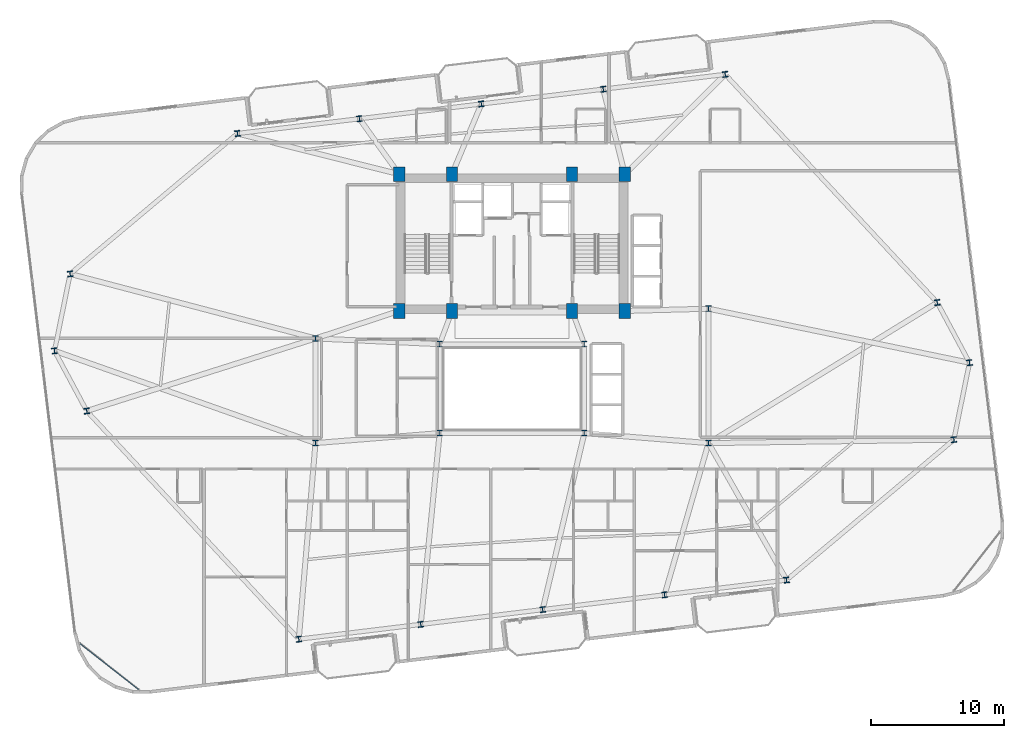
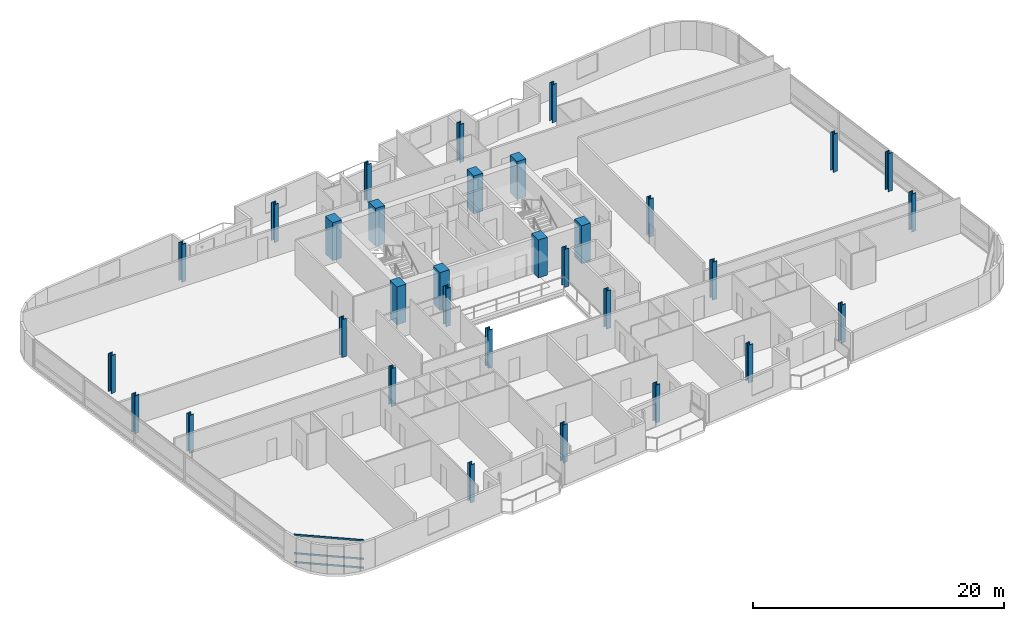
# One storey, part 1 of 24: 32 columns, 3 members, 1 element without a shape of its own.
"""IFC4 building model written with IfcOpenShell, lengths in metres."""

import ifcopenshell
import ifcopenshell.guid

model = None  # the IFC model being written
_history = None  # IfcOwnerHistory: only IFC2X3 demands one
_inside = {}  # id of a spatial element -> (the spatial element, [elements in it])
_under = {}  # id of a project, library or spatial element -> (it, [spatial elements below it])
_declared = {}  # id of a project -> (the project, [libraries it declares])
_typed = {}  # id of a type object -> (the type object, [elements of that type])
_made_of = {}  # id of a material, layer set ... -> (it, [elements and type objects made of it])


def new_model(schema):
    """Start an empty IFC model of exactly this schema.

    Asked for "IFC4X3", IfcOpenShell would pick the latest addendum, in which some entities
    have other attributes; the version numbers below select the first issue.
    IFC2X3 requires an IfcOwnerHistory on every rooted entity: one is made here for all.
    """
    global model, _history
    if schema == "IFC4X3":
        model = ifcopenshell.file(schema_version=(4, 3, 0, 0))
    else:
        model = ifcopenshell.file(schema=schema)
    _inside.clear()
    _under.clear()
    _declared.clear()
    _typed.clear()
    _made_of.clear()
    _history = None
    if model.schema == "IFC2X3":
        org = make("IfcOrganization", Name="unknown")
        user = make(
            "IfcPersonAndOrganization",
            ThePerson=make("IfcPerson", FamilyName="unknown"),
            TheOrganization=org,
        )
        app = make(
            "IfcApplication",
            ApplicationDeveloper=org,
            Version="unknown",
            ApplicationFullName="unknown",
            ApplicationIdentifier="unknown",
        )
        _history = make(
            "IfcOwnerHistory",
            OwningUser=user,
            OwningApplication=app,
            ChangeAction="ADDED",
            CreationDate=0,
        )
    return model


def make(cls, **values):
    """One entity of the class cls with the attributes given. An attribute that is None is left unset."""
    return model.create_entity(
        cls, **{name: value for name, value in values.items() if value is not None}
    )


def rooted(cls, **values):
    """An entity with a GlobalId (a new one), such as an element, a storey or a relation."""
    return make(cls, GlobalId=ifcopenshell.guid.new(), OwnerHistory=_history, **values)


def si_unit(unit_type, name, prefix=None):
    """IfcSIUnit, for example si_unit("LENGTHUNIT", "METRE", prefix="MILLI")."""
    return make("IfcSIUnit", UnitType=unit_type, Prefix=prefix, Name=name)


def assignment(units):
    """IfcUnitAssignment: the units of a project."""
    return None if units is None else make("IfcUnitAssignment", Units=units)


def point(xyz):
    """IfcCartesianPoint."""
    return None if xyz is None else make("IfcCartesianPoint", Coordinates=xyz)


def direction(xyz):
    """IfcDirection."""
    return None if xyz is None else make("IfcDirection", DirectionRatios=xyz)


def frame(location, z_axis=None, x_axis=None):
    """IfcAxis2Placement3D, a coordinate frame: its origin and axes. An axis left out is left unset."""
    return make(
        "IfcAxis2Placement3D",
        Location=point(location),
        Axis=direction(z_axis),
        RefDirection=direction(x_axis),
    )


def frame_2d(location, x_axis=None):
    """IfcAxis2Placement2D, a coordinate frame in the plane: its origin and x axis."""
    return make(
        "IfcAxis2Placement2D", Location=point(location), RefDirection=direction(x_axis)
    )


def origin():
    """The frame at (0, 0, 0) with its axes left unset."""
    return frame((0.0, 0.0, 0.0))


def origin_2d():
    """The frame at (0, 0) in the plane with its x axis left unset."""
    return frame_2d((0.0, 0.0))


def place(relative_to, where):
    """IfcLocalPlacement: puts the frame where relative to a parent placement (None: the world)."""
    return make(
        "IfcLocalPlacement", PlacementRelTo=relative_to, RelativePlacement=where
    )


def context(
    kind, dimensions, precision=None, world=None, true_north=None, identifier=None
):
    """IfcGeometricRepresentationContext, for example the 3D "Model" context."""
    return make(
        "IfcGeometricRepresentationContext",
        ContextIdentifier=identifier,
        ContextType=kind,
        CoordinateSpaceDimension=dimensions,
        Precision=precision,
        WorldCoordinateSystem=world,
        TrueNorth=true_north,
    )


def subcontext(parent, identifier, kind, view, scale=None):
    """IfcGeometricRepresentationSubContext, for example "Body" below "Model"."""
    return make(
        "IfcGeometricRepresentationSubContext",
        ContextIdentifier=identifier,
        ContextType=kind,
        ParentContext=parent,
        TargetScale=scale,
        TargetView=view,
    )


def project(units=None, contexts=None):
    """IfcProject with its units and contexts."""
    return rooted(
        "IfcProject",
        Name="project",
        RepresentationContexts=contexts,
        UnitsInContext=assignment(units),
    )


def spatial(cls, under=None, at=None, **own):
    """A site, building, storey or space (cls), placed at a placement, below another one or the project."""
    s = rooted(cls, ObjectPlacement=at, **own)
    if under is not None:
        _under.setdefault(under.id(), (under, []))[1].append(s)
    return s


def profile(cls, at=None, kind="AREA", **sizes):
    """A parametric profile (cls). Its sizes go by their IFC names, for example OverallWidth=200.0."""
    return make(cls, ProfileType=kind, Position=at, **sizes)


def rectangle(**sizes):
    """IfcRectangleProfileDef."""
    return profile("IfcRectangleProfileDef", **sizes)


def hollow_rectangle(**sizes):
    """IfcRectangleHollowProfileDef."""
    return profile("IfcRectangleHollowProfileDef", **sizes)


def i_section(**sizes):
    """IfcIShapeProfileDef."""
    return profile("IfcIShapeProfileDef", **sizes)


def extrude(swept, where, along, depth):
    """IfcExtrudedAreaSolid: the profile swept, set in the frame where, extruded along a direction by depth."""
    return make(
        "IfcExtrudedAreaSolid",
        SweptArea=swept,
        Position=where,
        ExtrudedDirection=direction(along),
        Depth=depth,
    )


def shape(context_of_items, identifier, shape_type, items):
    """IfcShapeRepresentation: the items that make up one representation, for example the "Body"."""
    return make(
        "IfcShapeRepresentation",
        ContextOfItems=context_of_items,
        RepresentationIdentifier=identifier,
        RepresentationType=shape_type,
        Items=items,
    )


def material(Name=None, Category=None):
    """IfcMaterial."""
    return make("IfcMaterial", Name=Name, Category=Category)


def layer(
    of_material, thickness, ventilated=None, Name=None, Category=None, Priority=None
):
    """IfcMaterialLayer: one layer of a wall or slab, of a material (None: an air gap)."""
    return make(
        "IfcMaterialLayer",
        Material=of_material,
        LayerThickness=thickness,
        IsVentilated=ventilated,
        Name=Name,
        Category=Category,
        Priority=Priority,
    )


def layer_set(layers, Name=None):
    """IfcMaterialLayerSet."""
    return make("IfcMaterialLayerSet", MaterialLayers=layers, LayerSetName=Name)


def material_profile(
    of_material, cross_section, Name=None, Category=None, Priority=None
):
    """IfcMaterialProfile: a cross section and its material."""
    return make(
        "IfcMaterialProfile",
        Name=Name,
        Material=of_material,
        Profile=cross_section,
        Priority=Priority,
        Category=Category,
    )


def profile_set(profiles, Name=None, composite=None):
    """IfcMaterialProfileSet."""
    return make(
        "IfcMaterialProfileSet",
        Name=Name,
        MaterialProfiles=profiles,
        CompositeProfile=composite,
    )


def made_of(thing, what):
    """Note that an element or type object is made of a material, layer set ...; save() writes the relation."""
    if what is not None:
        _made_of.setdefault(what.id(), (what, []))[1].append(thing)
    return thing


def type_object(cls, material=None, **own):
    """A type object (cls), such as IfcWallType, which elements share."""
    return made_of(rooted(cls, **own), material)


def element(
    cls,
    number,
    at=None,
    inside=None,
    cuts=None,
    type_object=None,
    material=None,
    context=None,
    identifier="Body",
    shape_type=None,
    held_by="IfcProductDefinitionShape",
    body=None,
    shapes=None,
    **own,
):
    """One element of the class cls, such as IfcWall. Its Tag is "e" and its number.

    at: its placement. inside: the storey or other place that contains it. cuts: it is an
    opening in that element (IfcRelVoidsElement). A single representation is given by context,
    identifier, shape_type and body (its items); several are given by shapes. held_by: the class
    of the entity that holds the representations. save() writes the other relations.
    """
    e = rooted(cls, Tag="e%d" % number, ObjectPlacement=at, **own)
    if body is not None:
        shapes = [shape(context, identifier, shape_type, body)]
    if shapes is not None:
        e.Representation = make(held_by, Representations=shapes)
    if inside is not None:
        _inside.setdefault(inside.id(), (inside, []))[1].append(e)
    if cuts is not None:
        rooted(
            "IfcRelVoidsElement", RelatingBuildingElement=cuts, RelatedOpeningElement=e
        )
    if type_object is not None:
        _typed.setdefault(type_object.id(), (type_object, []))[1].append(e)
    return made_of(e, material)


def aggregate(whole, parts):
    """IfcRelAggregates: a whole, such as a stair, and the parts it consists of."""
    return rooted("IfcRelAggregates", RelatingObject=whole, RelatedObjects=parts)


def save(model, path):
    """Write the relations noted so far, then the file.

    IfcRelAggregates (storeys below a building ...), IfcRelContainedInSpatialStructure (elements
    in a storey), IfcRelDefinesByType, IfcRelAssociatesMaterial and IfcRelDeclares: one each for
    every whole, place, type object, material and project.
    """
    for whole, parts in _under.values():
        aggregate(whole, parts)
    for where, things in _inside.values():
        rooted(
            "IfcRelContainedInSpatialStructure",
            RelatedElements=things,
            RelatingStructure=where,
        )
    for kind, things in _typed.values():
        rooted("IfcRelDefinesByType", RelatedObjects=things, RelatingType=kind)
    for what, things in _made_of.values():
        rooted("IfcRelAssociatesMaterial", RelatedObjects=things, RelatingMaterial=what)
    for by, libraries in _declared.values():
        rooted("IfcRelDeclares", RelatingContext=by, RelatedDefinitions=libraries)
    model.write(path)


model = new_model("IFC4")

# Units and contexts
model_context = context("Model", 3, precision=1e-05, world=origin(), true_north=direction((0.0, 1.0)))
body_context = subcontext(model_context, "Body", "Model", "MODEL_VIEW")
ifc_project = project(units=[si_unit("LENGTHUNIT", "METRE"), si_unit("AREAUNIT", "SQUARE_METRE"), si_unit("VOLUMEUNIT", "CUBIC_METRE"), si_unit("PLANEANGLEUNIT", "RADIAN"), si_unit("MASSUNIT", "GRAM", prefix="KILO")], contexts=[model_context])

# Site, building, storey
site_placement = place(None, origin())
site = spatial("IfcSite", under=ifc_project, at=site_placement, CompositionType="ELEMENT")
building_placement = place(site_placement, origin())
building = spatial("IfcBuilding", under=site, at=building_placement, Name="Varnelok Gate Tower", CompositionType="ELEMENT")
storey_placement = place(building_placement, frame((0.0, 0.0, 167.199951171875)))
storey = spatial("IfcBuildingStorey", under=building, at=storey_placement, Name="L42", CompositionType="ELEMENT", Elevation=167.199951171875)

# Columns
ifc_material_1 = material(Name="Concrete C60/75", Category="concrete")
ifc_material_profile_1 = material_profile(ifc_material_1, rectangle(XDim=0.85009765625, YDim=1.10009765625, at=origin_2d()), Name="RC1100X850")
ifc_profile_set_1 = profile_set([ifc_material_profile_1], Name="Concrete C60/75")
column_type_1 = type_object("IfcColumnType", Name="COL-RC1100X850", PredefinedType="COLUMN", material=ifc_profile_set_1)
for number, where, z_axis, x_axis, name in (
    (1, (30.699951171875, 28.75, 0.0), (0.0, 0.0, 1.0), (1.0, 0.0, 0.0), "L42 Core Spine Column SC1"),
    (2, (34.679931640625, 28.75, 0.0), (0.0, 0.0, 1.0), (1.0, 0.0, 0.0), "L42 Core Spine Column SC2"),
    (3, (43.719970703125, 28.75, 0.0), (0.0, 0.0, 1.0), (1.0, 0.0, 0.0), "L42 Core Spine Column SC3"),
    (4, (47.699951171875, 28.75, 0.0), (0.0, 0.0, 1.0), (1.0, 0.0, 0.0), "L42 Core Spine Column SC4"),
    (5, (30.699951171875, 39.050048828125, 0.0), (0.0, 0.0, 1.0), (1.0, 0.0, 0.0), "L42 Core Spine Column SC5"),
    (6, (34.679931640625, 39.050048828125, 0.0), (0.0, 0.0, 1.0), (1.0, 0.0, 0.0), "L42 Core Spine Column SC6"),
    (7, (43.719970703125, 39.050048828125, 0.0), (0.0, 0.0, 1.0), (1.0, 0.0, 0.0), "L42 Core Spine Column SC7"),
    (8, (47.699951171875, 39.050048828125, 0.0), (0.0, 0.0, 1.0), (1.0, 0.0, 0.0), "L42 Core Spine Column SC8"),
):
    element("IfcColumn", number, at=place(storey_placement, frame(where, z_axis=z_axis, x_axis=x_axis)), inside=storey, type_object=column_type_1, Name=name, PredefinedType="COLUMN", context=body_context, shape_type="SweptSolid", body=[
        extrude(rectangle(XDim=0.85009765625, YDim=1.10009765625, at=origin_2d()), origin(), (0.0, 0.0, 1.0), 3.699951171875),
    ])
ifc_material_2 = material(Name="Structural Steel ASTM A992 Grade 50", Category="steel")
ifc_material_profile_2 = material_profile(ifc_material_2, i_section(OverallWidth=0.412109375, OverallDepth=0.43505859375, WebThickness=0.035888671875, FlangeThickness=0.057373046875, FilletRadius=0.02490234375, at=origin_2d()), Name="W14X311")
ifc_profile_set_2 = profile_set([ifc_material_profile_2], Name="Structural Steel ASTM A992 Grade 50")
column_type_2 = type_object("IfcColumnType", Name="COL-W14X311", PredefinedType="COLUMN", material=ifc_profile_set_2)
for number, where, z_axis, x_axis, name in (
    (9, (23.142578125, 4.032958984375, 0.0), (0.0, 0.0, 1.0), (0.992732158755, 0.12034475881, 0.0), "L42 B4 Perimeter Column PC01"),
    (10, (32.325439453125, 5.146240234375, 0.0), (0.0, 0.0, 1.0), (0.992732158755, 0.12034475881, 0.0), "L42 B4 Perimeter Column PC02"),
    (11, (41.50830078125, 6.259521484375, 0.0), (0.0, 0.0, 1.0), (0.992732158755, 0.12034475881, 0.0), "L42 B4 Perimeter Column PC03"),
    (12, (50.69091796875, 7.37255859375, 0.0), (0.0, 0.0, 1.0), (0.992732158755, 0.12034475881, 0.0), "L42 B4 Perimeter Column PC04"),
    (13, (59.873779296875, 8.48583984375, 0.0), (0.0, 0.0, 1.0), (0.992732158755, 0.12034475881, 0.0), "L42 B4 Perimeter Column PC05"),
    (14, (72.476806640625, 19.059326171875, 0.0), (0.0, 0.0, 1.0), (0.992732158755, 0.12034475881, 0.0), "L42 B4 Perimeter Column PC06"),
    (15, (73.654296875, 24.85302734375, 0.0), (0.0, 0.0, 1.0), (0.992732158755, 0.12034475881, 0.0), "L42 B4 Perimeter Column PC07"),
    (16, (71.225341796875, 29.3837890625, 0.0), (0.0, 0.0, 1.0), (0.992732158755, 0.12034475881, 0.0), "L42 B4 Perimeter Column PC08"),
    (17, (55.25732421875, 46.56689453125, 0.0), (0.0, 0.0, 1.0), (0.992732158755, 0.12034475881, 0.0), "L42 B4 Perimeter Column PC09"),
    (18, (46.07470703125, 45.453857421875, 0.0), (0.0, 0.0, 1.0), (0.992732158755, 0.12034475881, 0.0), "L42 B4 Perimeter Column PC10"),
    (19, (36.891845703125, 44.340576171875, 0.0), (0.0, 0.0, 1.0), (0.992732158755, 0.12034475881, 0.0), "L42 B4 Perimeter Column PC11"),
    (20, (27.708984375, 43.227294921875, 0.0), (0.0, 0.0, 1.0), (0.992732158755, 0.12034475881, 0.0), "L42 B4 Perimeter Column PC12"),
    (21, (18.526123046875, 42.1142578125, 0.0), (0.0, 0.0, 1.0), (0.992732158755, 0.12034475881, 0.0), "L42 B4 Perimeter Column PC13"),
    (22, (5.923095703125, 31.540771484375, 0.0), (0.0, 0.0, 1.0), (0.992732158755, 0.12034475881, 0.0), "L42 B4 Perimeter Column PC14"),
    (23, (4.745849609375, 25.746826171875, 0.0), (0.0, 0.0, 1.0), (0.992732158755, 0.12034475881, 0.0), "L42 B4 Perimeter Column PC15"),
    (24, (7.1748046875, 21.21630859375, 0.0), (0.0, 0.0, 1.0), (0.992732158755, 0.12034475881, 0.0), "L42 B4 Perimeter Column PC16"),
):
    element("IfcColumn", number, at=place(storey_placement, frame(where, z_axis=z_axis, x_axis=x_axis)), inside=storey, type_object=column_type_2, Name=name, PredefinedType="COLUMN", context=body_context, shape_type="SweptSolid", body=[
        extrude(i_section(OverallWidth=0.412109375, OverallDepth=0.43505859375, WebThickness=0.035888671875, FlangeThickness=0.057373046875, FilletRadius=0.02490234375, at=origin_2d()), origin(), (0.0, 0.0, 1.0), 3.699951171875),
    ])
ifc_material_profile_3 = material_profile(ifc_material_2, i_section(OverallWidth=0.41796875, OverallDepth=0.455078125, WebThickness=0.0419921875, FlangeThickness=0.067626953125, FilletRadius=0.02490234375, at=origin_2d()), Name="W14X370")
ifc_profile_set_3 = profile_set([ifc_material_profile_3], Name="Structural Steel ASTM A992 Grade 50")
column_type_3 = type_object("IfcColumnType", Name="COL-W14X370", PredefinedType="COLUMN", material=ifc_profile_set_3)
for number, where, z_axis, x_axis, name in (
    (25, (33.75, 19.550048828125, 0.0), (0.0, 0.0, 1.0), (1.0, 0.0, 0.0), "L42 Atrium Spine Column AC1"),
    (26, (44.64990234375, 19.550048828125, 0.0), (0.0, 0.0, 1.0), (1.0, 0.0, 0.0), "L42 Atrium Spine Column AC2"),
    (27, (33.75, 26.25, 0.0), (0.0, 0.0, 1.0), (1.0, 0.0, 0.0), "L42 Atrium Spine Column AC3"),
    (28, (44.64990234375, 26.25, 0.0), (0.0, 0.0, 1.0), (1.0, 0.0, 0.0), "L42 Atrium Spine Column AC4"),
    (29, (24.39990234375, 18.800048828125, 0.0), (0.0, 0.0, 1.0), (1.0, 0.0, 0.0), "L42 Wing Spine Column WS1"),
    (30, (24.39990234375, 26.679931640625, 0.0), (0.0, 0.0, 1.0), (1.0, 0.0, 0.0), "L42 Wing Spine Column WS2"),
    (31, (54.0, 18.800048828125, 0.0), (0.0, 0.0, 1.0), (1.0, 0.0, 0.0), "L42 Wing Spine Column ES1"),
    (32, (54.0, 28.919921875, 0.0), (0.0, 0.0, 1.0), (1.0, 0.0, 0.0), "L42 Wing Spine Column ES2"),
):
    element("IfcColumn", number, at=place(storey_placement, frame(where, z_axis=z_axis, x_axis=x_axis)), inside=storey, type_object=column_type_3, Name=name, PredefinedType="COLUMN", context=body_context, shape_type="SweptSolid", body=[
        extrude(i_section(OverallWidth=0.41796875, OverallDepth=0.455078125, WebThickness=0.0419921875, FlangeThickness=0.067626953125, FilletRadius=0.02490234375, at=origin_2d()), origin(), (0.0, 0.0, 1.0), 3.699951171875),
    ])

# Curtain wall, members
ifc_material_3 = material(Name="Anodized Aluminum Alloy 6063-T6", Category="aluminium")
ifc_layer = layer(ifc_material_3, 0.179931640625)
ifc_layer_set = layer_set([ifc_layer], Name="Anodized Aluminum Alloy 6063-T6")
curtain_wall_type = type_object("IfcCurtainWallType", Name="CW5-WINDCORNER-GLAZ", PredefinedType="USERDEFINED", material=ifc_layer_set)
curtain_wall_placement = place(storey_placement, origin())
curtain_wall = element("IfcCurtainWall", 33, at=curtain_wall_placement, inside=storey, type_object=curtain_wall_type, Name="L42 Wind-Shaped Corner Curtain Wall SW", ObjectType="STRUCTURAL GLAZING", PredefinedType="USERDEFINED")
ifc_material_profile_4 = material_profile(ifc_material_3, hollow_rectangle(XDim=0.06494140625, YDim=0.159912109375, WallThickness=0.00390625, at=origin_2d()), Name="ALU160X65X4")
ifc_profile_set_4 = profile_set([ifc_material_profile_4], Name="Anodized Aluminum Alloy 6063-T6")
member_type = type_object("IfcMemberType", Name="CW-TRAN-160", PredefinedType="USERDEFINED", material=ifc_profile_set_4)
member_1_placement = place(storey_placement, frame((6.65869140625, 3.700927734375, 0.032470703125), z_axis=(0.787066165046, -0.616868585551, 0.0), x_axis=(0.616868585551, 0.787066165046, 0.0)))
member_1 = element("IfcMember", 34, at=member_1_placement, type_object=member_type, Name="CW5 transom 1.1", ObjectType="TRANSOM", PredefinedType="USERDEFINED", context=body_context, shape_type="SweptSolid", body=[
    extrude(hollow_rectangle(XDim=0.06494140625, YDim=0.159912109375, WallThickness=0.00390625, at=origin_2d()), origin(), (0.0, 0.0, 1.0), 5.6259765625),
])
member_2_placement = place(storey_placement, frame((6.65869140625, 3.700927734375, 0.900146484375), z_axis=(0.787066165046, -0.616868585551, 0.0), x_axis=(0.616868585551, 0.787066165046, 0.0)))
member_2 = element("IfcMember", 35, at=member_2_placement, type_object=member_type, Name="CW5 transom 1.2", ObjectType="TRANSOM", PredefinedType="USERDEFINED", context=body_context, shape_type="SweptSolid", body=[
    extrude(hollow_rectangle(XDim=0.06494140625, YDim=0.159912109375, WallThickness=0.00390625, at=origin_2d()), origin(), (0.0, 0.0, 1.0), 5.6259765625),
])
member_3_placement = place(storey_placement, frame((6.65869140625, 3.700927734375, 2.697509765625), z_axis=(0.787066165046, -0.616868585551, 0.0), x_axis=(0.616868585551, 0.787066165046, 0.0)))
member_3 = element("IfcMember", 36, at=member_3_placement, type_object=member_type, Name="CW5 transom 1.3", ObjectType="TRANSOM", PredefinedType="USERDEFINED", context=body_context, shape_type="SweptSolid", body=[
    extrude(hollow_rectangle(XDim=0.06494140625, YDim=0.159912109375, WallThickness=0.00390625, at=origin_2d()), origin(), (0.0, 0.0, 1.0), 5.6259765625),
])
aggregate(curtain_wall, [member_1, member_2, member_3])

save(model, "model.ifc")
